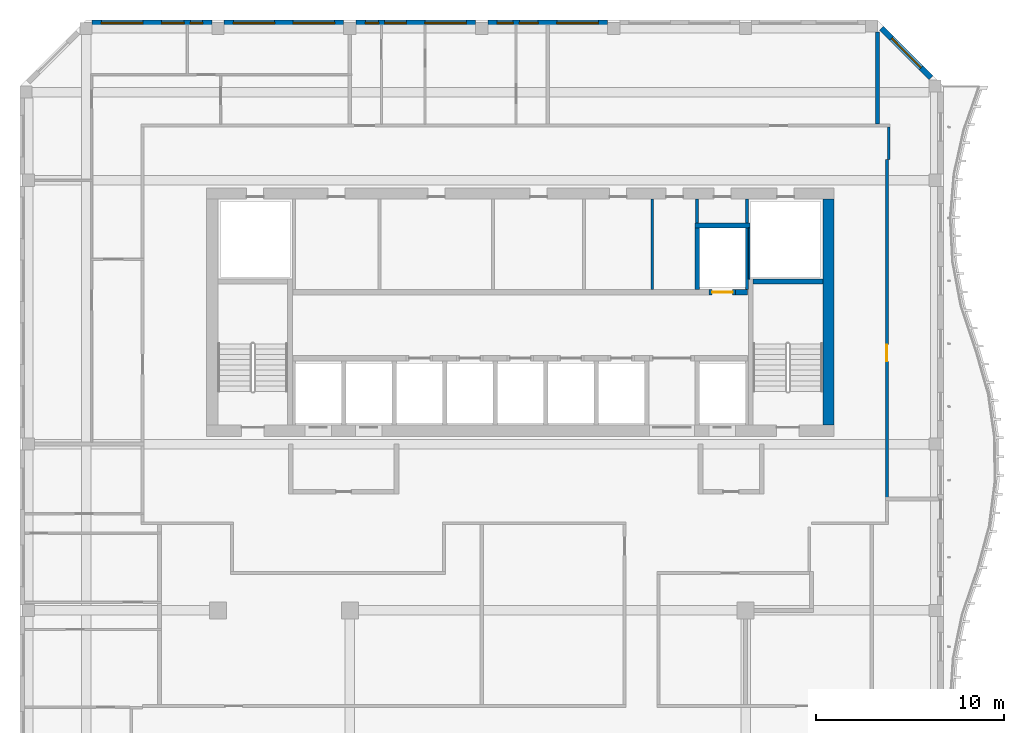
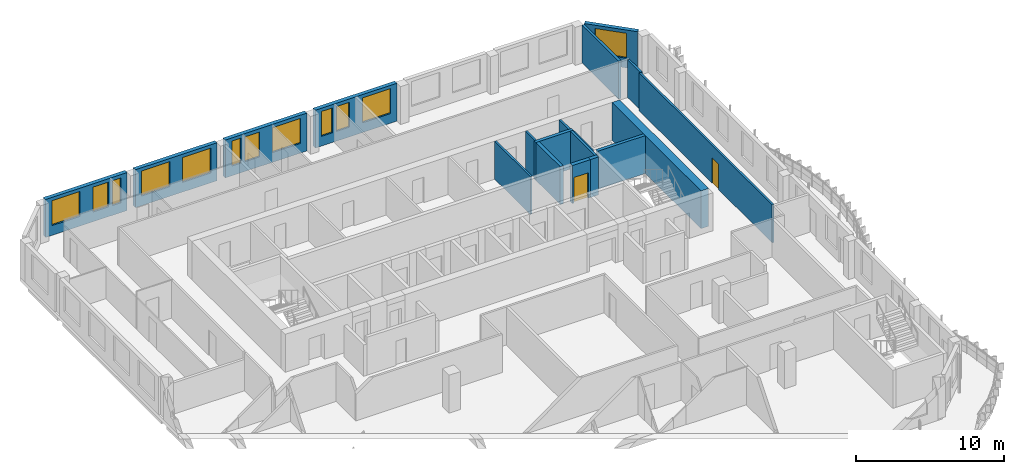
# One storey, part 8 of 16: 19 walls, 12 windows, 2 doors, 14 openings.
"""IFC4 building model written with IfcOpenShell, lengths in metres."""

import ifcopenshell
import ifcopenshell.guid

model = None  # the IFC model being written
_history = None  # IfcOwnerHistory: only IFC2X3 demands one
_inside = {}  # id of a spatial element -> (the spatial element, [elements in it])
_under = {}  # id of a project, library or spatial element -> (it, [spatial elements below it])
_declared = {}  # id of a project -> (the project, [libraries it declares])
_typed = {}  # id of a type object -> (the type object, [elements of that type])
_made_of = {}  # id of a material, layer set ... -> (it, [elements and type objects made of it])


def new_model(schema):
    """Start an empty IFC model of exactly this schema.

    Asked for "IFC4X3", IfcOpenShell would pick the latest addendum, in which some entities
    have other attributes; the version numbers below select the first issue.
    IFC2X3 requires an IfcOwnerHistory on every rooted entity: one is made here for all.
    """
    global model, _history
    if schema == "IFC4X3":
        model = ifcopenshell.file(schema_version=(4, 3, 0, 0))
    else:
        model = ifcopenshell.file(schema=schema)
    _inside.clear()
    _under.clear()
    _declared.clear()
    _typed.clear()
    _made_of.clear()
    _history = None
    if model.schema == "IFC2X3":
        org = make("IfcOrganization", Name="unknown")
        user = make(
            "IfcPersonAndOrganization",
            ThePerson=make("IfcPerson", FamilyName="unknown"),
            TheOrganization=org,
        )
        app = make(
            "IfcApplication",
            ApplicationDeveloper=org,
            Version="unknown",
            ApplicationFullName="unknown",
            ApplicationIdentifier="unknown",
        )
        _history = make(
            "IfcOwnerHistory",
            OwningUser=user,
            OwningApplication=app,
            ChangeAction="ADDED",
            CreationDate=0,
        )
    return model


def make(cls, **values):
    """One entity of the class cls with the attributes given. An attribute that is None is left unset."""
    return model.create_entity(
        cls, **{name: value for name, value in values.items() if value is not None}
    )


def rooted(cls, **values):
    """An entity with a GlobalId (a new one), such as an element, a storey or a relation."""
    return make(cls, GlobalId=ifcopenshell.guid.new(), OwnerHistory=_history, **values)


def si_unit(unit_type, name, prefix=None):
    """IfcSIUnit, for example si_unit("LENGTHUNIT", "METRE", prefix="MILLI")."""
    return make("IfcSIUnit", UnitType=unit_type, Prefix=prefix, Name=name)


def assignment(units):
    """IfcUnitAssignment: the units of a project."""
    return None if units is None else make("IfcUnitAssignment", Units=units)


def point(xyz):
    """IfcCartesianPoint."""
    return None if xyz is None else make("IfcCartesianPoint", Coordinates=xyz)


def direction(xyz):
    """IfcDirection."""
    return None if xyz is None else make("IfcDirection", DirectionRatios=xyz)


def frame(location, z_axis=None, x_axis=None):
    """IfcAxis2Placement3D, a coordinate frame: its origin and axes. An axis left out is left unset."""
    return make(
        "IfcAxis2Placement3D",
        Location=point(location),
        Axis=direction(z_axis),
        RefDirection=direction(x_axis),
    )


def frame_2d(location, x_axis=None):
    """IfcAxis2Placement2D, a coordinate frame in the plane: its origin and x axis."""
    return make(
        "IfcAxis2Placement2D", Location=point(location), RefDirection=direction(x_axis)
    )


def origin():
    """The frame at (0, 0, 0) with its axes left unset."""
    return frame((0.0, 0.0, 0.0))


def place(relative_to, where):
    """IfcLocalPlacement: puts the frame where relative to a parent placement (None: the world)."""
    return make(
        "IfcLocalPlacement", PlacementRelTo=relative_to, RelativePlacement=where
    )


def context(
    kind, dimensions, precision=None, world=None, true_north=None, identifier=None
):
    """IfcGeometricRepresentationContext, for example the 3D "Model" context."""
    return make(
        "IfcGeometricRepresentationContext",
        ContextIdentifier=identifier,
        ContextType=kind,
        CoordinateSpaceDimension=dimensions,
        Precision=precision,
        WorldCoordinateSystem=world,
        TrueNorth=true_north,
    )


def subcontext(parent, identifier, kind, view, scale=None):
    """IfcGeometricRepresentationSubContext, for example "Body" below "Model"."""
    return make(
        "IfcGeometricRepresentationSubContext",
        ContextIdentifier=identifier,
        ContextType=kind,
        ParentContext=parent,
        TargetScale=scale,
        TargetView=view,
    )


def project(units=None, contexts=None):
    """IfcProject with its units and contexts."""
    return rooted(
        "IfcProject",
        Name="project",
        RepresentationContexts=contexts,
        UnitsInContext=assignment(units),
    )


def spatial(cls, under=None, at=None, **own):
    """A site, building, storey or space (cls), placed at a placement, below another one or the project."""
    s = rooted(cls, ObjectPlacement=at, **own)
    if under is not None:
        _under.setdefault(under.id(), (under, []))[1].append(s)
    return s


def profile(cls, at=None, kind="AREA", **sizes):
    """A parametric profile (cls). Its sizes go by their IFC names, for example OverallWidth=200.0."""
    return make(cls, ProfileType=kind, Position=at, **sizes)


def rectangle(**sizes):
    """IfcRectangleProfileDef."""
    return profile("IfcRectangleProfileDef", **sizes)


def extrude(swept, where, along, depth):
    """IfcExtrudedAreaSolid: the profile swept, set in the frame where, extruded along a direction by depth."""
    return make(
        "IfcExtrudedAreaSolid",
        SweptArea=swept,
        Position=where,
        ExtrudedDirection=direction(along),
        Depth=depth,
    )


def shape(context_of_items, identifier, shape_type, items):
    """IfcShapeRepresentation: the items that make up one representation, for example the "Body"."""
    return make(
        "IfcShapeRepresentation",
        ContextOfItems=context_of_items,
        RepresentationIdentifier=identifier,
        RepresentationType=shape_type,
        Items=items,
    )


def source(mapping_origin, context_of_items, identifier, shape_type, items):
    """IfcRepresentationMap: a shape defined once, which mapped items show again and again."""
    return make(
        "IfcRepresentationMap",
        MappingOrigin=mapping_origin,
        MappedRepresentation=shape(context_of_items, identifier, shape_type, items),
    )


def transform(
    local_origin,
    x_axis=None,
    y_axis=None,
    z_axis=None,
    scale=None,
    scale2=None,
    scale3=None,
    uniform=True,
):
    """IfcCartesianTransformationOperator3D, or its non-uniform kind. x_axis, y_axis, z_axis: its Axis1, 2, 3."""
    if uniform:
        return make(
            "IfcCartesianTransformationOperator3D",
            Axis1=direction(x_axis),
            Axis2=direction(y_axis),
            LocalOrigin=point(local_origin),
            Scale=scale,
            Axis3=direction(z_axis),
        )
    return make(
        "IfcCartesianTransformationOperator3DnonUniform",
        Axis1=direction(x_axis),
        Axis2=direction(y_axis),
        LocalOrigin=point(local_origin),
        Scale=scale,
        Axis3=direction(z_axis),
        Scale2=scale2,
        Scale3=scale3,
    )


def mapped(mapping_source, mapping_target):
    """IfcMappedItem: shows the shape of a source again, moved by a transform."""
    return make(
        "IfcMappedItem", MappingSource=mapping_source, MappingTarget=mapping_target
    )


def material(Name=None, Category=None):
    """IfcMaterial."""
    return make("IfcMaterial", Name=Name, Category=Category)


def layer(
    of_material, thickness, ventilated=None, Name=None, Category=None, Priority=None
):
    """IfcMaterialLayer: one layer of a wall or slab, of a material (None: an air gap)."""
    return make(
        "IfcMaterialLayer",
        Material=of_material,
        LayerThickness=thickness,
        IsVentilated=ventilated,
        Name=Name,
        Category=Category,
        Priority=Priority,
    )


def layer_set(layers, Name=None):
    """IfcMaterialLayerSet."""
    return make("IfcMaterialLayerSet", MaterialLayers=layers, LayerSetName=Name)


def made_of(thing, what):
    """Note that an element or type object is made of a material, layer set ...; save() writes the relation."""
    if what is not None:
        _made_of.setdefault(what.id(), (what, []))[1].append(thing)
    return thing


def type_object(cls, material=None, **own):
    """A type object (cls), such as IfcWallType, which elements share."""
    return made_of(rooted(cls, **own), material)


def element(
    cls,
    number,
    at=None,
    inside=None,
    cuts=None,
    type_object=None,
    material=None,
    context=None,
    identifier="Body",
    shape_type=None,
    held_by="IfcProductDefinitionShape",
    body=None,
    shapes=None,
    **own,
):
    """One element of the class cls, such as IfcWall. Its Tag is "e" and its number.

    at: its placement. inside: the storey or other place that contains it. cuts: it is an
    opening in that element (IfcRelVoidsElement). A single representation is given by context,
    identifier, shape_type and body (its items); several are given by shapes. held_by: the class
    of the entity that holds the representations. save() writes the other relations.
    """
    e = rooted(cls, Tag="e%d" % number, ObjectPlacement=at, **own)
    if body is not None:
        shapes = [shape(context, identifier, shape_type, body)]
    if shapes is not None:
        e.Representation = make(held_by, Representations=shapes)
    if inside is not None:
        _inside.setdefault(inside.id(), (inside, []))[1].append(e)
    if cuts is not None:
        rooted(
            "IfcRelVoidsElement", RelatingBuildingElement=cuts, RelatedOpeningElement=e
        )
    if type_object is not None:
        _typed.setdefault(type_object.id(), (type_object, []))[1].append(e)
    return made_of(e, material)


def fill(opening, filler):
    """IfcRelFillsElement: the door or window that sits in an opening."""
    return rooted(
        "IfcRelFillsElement",
        RelatingOpeningElement=opening,
        RelatedBuildingElement=filler,
    )


def aggregate(whole, parts):
    """IfcRelAggregates: a whole, such as a stair, and the parts it consists of."""
    return rooted("IfcRelAggregates", RelatingObject=whole, RelatedObjects=parts)


def save(model, path):
    """Write the relations noted so far, then the file.

    IfcRelAggregates (storeys below a building ...), IfcRelContainedInSpatialStructure (elements
    in a storey), IfcRelDefinesByType, IfcRelAssociatesMaterial and IfcRelDeclares: one each for
    every whole, place, type object, material and project.
    """
    for whole, parts in _under.values():
        aggregate(whole, parts)
    for where, things in _inside.values():
        rooted(
            "IfcRelContainedInSpatialStructure",
            RelatedElements=things,
            RelatingStructure=where,
        )
    for kind, things in _typed.values():
        rooted("IfcRelDefinesByType", RelatedObjects=things, RelatingType=kind)
    for what, things in _made_of.values():
        rooted("IfcRelAssociatesMaterial", RelatedObjects=things, RelatingMaterial=what)
    for by, libraries in _declared.values():
        rooted("IfcRelDeclares", RelatingContext=by, RelatedDefinitions=libraries)
    model.write(path)


model = new_model("IFC4")

# Units and contexts
model_context = context("Model", 3, precision=1e-05, world=origin(), true_north=direction((0.0, 1.0)))
body_context = subcontext(model_context, "Body", "Model", "MODEL_VIEW")
ifc_project = project(units=[si_unit("LENGTHUNIT", "METRE"), si_unit("AREAUNIT", "SQUARE_METRE"), si_unit("VOLUMEUNIT", "CUBIC_METRE"), si_unit("PLANEANGLEUNIT", "RADIAN"), si_unit("MASSUNIT", "GRAM", prefix="KILO")], contexts=[model_context])

# Site, building, storey
site_placement = place(None, origin())
site = spatial("IfcSite", under=ifc_project, at=site_placement, CompositionType="ELEMENT")
building_placement = place(site_placement, origin())
building = spatial("IfcBuilding", under=site, at=building_placement, Name="Kilnfold Tower and Market Hall", CompositionType="ELEMENT")
storey_placement = place(building_placement, frame((0.0, 0.0, 284.0)))
storey = spatial("IfcBuildingStorey", under=building, at=storey_placement, Name="L70", CompositionType="ELEMENT", Elevation=284.0)

# Wall
ifc_material_1 = material(Name="Gypsum board on steel studs", Category="steel")
ifc_layer_1 = layer(ifc_material_1, 0.14990234375)
ifc_layer_set_1 = layer_set([ifc_layer_1], Name="Gypsum board on steel studs")
wall_type_1 = type_object("IfcWallType", Name="WALL CORRIDOR 150", PredefinedType="PARTITIONING", material=ifc_layer_set_1)
wall_1_placement = place(storey_placement, frame((20.60009765625, 23.10009765625, 0.0), z_axis=(0.0, 0.0, 1.0), x_axis=(0.0, 1.0, 0.0)))
element("IfcWall", 1, at=wall_1_placement, inside=storey, type_object=wall_type_1, Name="Partition LY42.18", PredefinedType="PARTITIONING", context=body_context, shape_type="SweptSolid", body=[
    extrude(rectangle(XDim=1.724853515625, YDim=0.14990234375, at=frame_2d((0.8623046875, 0.0))), origin(), (0.0, 0.0, 1.0), 3.1201171875),
])

# Wall, opening, door
wall_2_placement = place(storey_placement, frame((20.5, 5.173095703125, 0.0), z_axis=(0.0, 0.0, 1.0), x_axis=(0.0, 1.0, 0.0)))
wall_2 = element("IfcWall", 2, at=wall_2_placement, inside=storey, type_object=wall_type_1, Name="Partition LY42.19", PredefinedType="PARTITIONING", context=body_context, shape_type="SweptSolid", body=[
    extrude(rectangle(XDim=17.927001953125, YDim=0.14990234375, at=frame_2d((8.96337890625, 0.0))), origin(), (0.0, 0.0, 1.0), 3.1201171875),
])
opening_1_placement = place(wall_2_placement, frame((7.2109375, 0.0, 0.0)))
opening_1 = element("IfcOpeningElement", 3, at=opening_1_placement, cuts=wall_2, Name="Opening D2", PredefinedType="OPENING", context=body_context, shape_type="SweptSolid", body=[
    extrude(rectangle(XDim=0.89990234375, YDim=2.10009765625, at=frame_2d((0.449951171875, 1.050048828125))), frame((0.0, 0.0849609375, 0.0), z_axis=(0.0, -1.0, 0.0), x_axis=(1.0, 0.0, 0.0)), (0.0, 0.0, 1.0), 0.169921875),
])
ifc_material_2 = material(Name="Timber veneer door leaf in steel frame", Category="steel")
door_type_1 = type_object("IfcDoorType", Name="DOOR ROOM 900 X2100", OperationType="NOTDEFINED", PredefinedType="DOOR", material=ifc_material_2)
door_1_placement = place(opening_1_placement, origin())
door_1 = element("IfcDoor", 4, at=door_1_placement, inside=storey, type_object=door_type_1, Name="Door D2", OperationType="SINGLE_SWING_LEFT", OverallHeight=2.10009765625, OverallWidth=0.89990234375, PredefinedType="DOOR", context=body_context, shape_type="SweptSolid", body=[
    extrude(rectangle(XDim=0.89990234375, YDim=2.10009765625, at=frame_2d((0.449951171875, 1.050048828125))), frame((0.0, 0.02490234375, 0.0), z_axis=(0.0, -1.0, 0.0), x_axis=(1.0, 0.0, 0.0)), (0.0, 0.0, 1.0), 0.050048828125),
])
fill(opening_1, door_1)

# Walls
ifc_material_3 = material(Name="Gypsum board on steel studs", Category="steel")
ifc_layer_2 = layer(ifc_material_3, 0.199951171875)
ifc_layer_set_2 = layer_set([ifc_layer_2], Name="Gypsum board on steel studs")
wall_type_2 = type_object("IfcWallType", Name="WALL PARTY 200", PredefinedType="PARTITIONING", material=ifc_layer_set_2)
wall_3_placement = place(storey_placement, frame((20.0, 29.85693359375, 0.0), z_axis=(0.0, 0.0, 1.0), x_axis=(0.0, -1.0, 0.0)))
element("IfcWall", 5, at=wall_3_placement, inside=storey, type_object=wall_type_2, Name="Partition LY42.64", PredefinedType="PARTITIONING", context=body_context, shape_type="SweptSolid", body=[
    extrude(rectangle(XDim=4.8798828125, YDim=0.199951171875, at=frame_2d((2.43994140625, 0.0))), origin(), (0.0, 0.0, 1.0), 3.1201171875),
])
ifc_material_4 = material(Name="Concrete C50", Category="concrete")
ifc_layer_3 = layer(ifc_material_4, 0.25)
ifc_layer_set_3 = layer_set([ifc_layer_3], Name="Concrete C50")
wall_type_3 = type_object("IfcWallType", Name="CORE WALL 250 C50", PredefinedType="SHEAR", material=ifc_layer_set_3)
shared_shape_1 = source(origin(), body_context, "Body", "SweptSolid", [
    extrude(rectangle(XDim=3.7001953125, YDim=0.25, at=frame_2d((1.85009765625, 0.0))), origin(), (0.0, 0.0, 1.0), 3.1201171875),
])
wall_4_placement = place(storey_placement, frame((13.39990234375, 16.625, 0.0), z_axis=(0.0, 0.0, 1.0), x_axis=(1.0, 0.0, 0.0)))
element("IfcWall", 6, at=wall_4_placement, inside=storey, type_object=wall_type_3, Name="Stair enclosure ST2", PredefinedType="SHEAR", context=body_context, shape_type="MappedRepresentation", body=[
    mapped(shared_shape_1, transform((0.0, 0.0, 0.0))),
])
ifc_material_5 = material(Name="Concrete C50", Category="concrete")
ifc_layer_4 = layer(ifc_material_5, 0.300048828125)
ifc_layer_set_4 = layer_set([ifc_layer_4], Name="Concrete C50")
wall_type_4 = type_object("IfcWallType", Name="CORE WALL 300 C50", PredefinedType="SHEAR", material=ifc_layer_set_4)
shared_shape_2 = source(origin(), body_context, "Body", "SweptSolid", [
    extrude(rectangle(XDim=0.64013671875, YDim=0.300048828125, at=frame_2d((0.320068359375, 0.0))), origin(), (0.0, 0.0, 1.0), 3.1201171875),
])
wall_5_placement = place(storey_placement, frame((12.469970703125, 16.050048828125, 0.0), z_axis=(0.0, 0.0, 1.0), x_axis=(1.0, 0.0, 0.0)))
element("IfcWall", 7, at=wall_5_placement, inside=storey, type_object=wall_type_4, Name="Core spine wall", PredefinedType="SHEAR", context=body_context, shape_type="MappedRepresentation", body=[
    mapped(shared_shape_2, transform((0.0, 0.0, 0.0))),
])
ifc_material_6 = material(Name="Concrete C50", Category="concrete")
ifc_layer_5 = layer(ifc_material_6, 0.60009765625)
ifc_layer_set_5 = layer_set([ifc_layer_5], Name="Concrete C50")
wall_type_5 = type_object("IfcWallType", Name="CORE WALL 600 C50", PredefinedType="SHEAR", material=ifc_layer_set_5)
shared_shape_3 = source(origin(), body_context, "Body", "SweptSolid", [
    extrude(rectangle(XDim=12.0, YDim=0.60009765625, at=frame_2d((6.0, 0.0))), origin(), (0.0, 0.0, 1.0), 3.1201171875),
])
wall_6_placement = place(storey_placement, frame((17.39990234375, 9.0, 0.0), z_axis=(0.0, 0.0, 1.0), x_axis=(0.0, 1.0, 0.0)))
element("IfcWall", 8, at=wall_6_placement, inside=storey, type_object=wall_type_5, Name="Core outer wall east", PredefinedType="SHEAR", context=body_context, shape_type="MappedRepresentation", body=[
    mapped(shared_shape_3, transform((0.0, 0.0, 0.0))),
])

# Wall, openings, windows
ifc_material_7 = material(Name="Precast concrete C50/60", Category="concrete")
ifc_layer_6 = layer(ifc_material_7, 0.300048828125)
ifc_layer_set_6 = layer_set([ifc_layer_6], Name="Precast concrete C50/60")
wall_type_6 = type_object("IfcWallType", Name="PRECAST WALL 300", PredefinedType="SOLIDWALL", material=ifc_layer_set_6)
shared_shape_4 = source(origin(), body_context, "Body", "SweptSolid", [
    extrude(rectangle(XDim=6.35009765625, YDim=0.300048828125, at=frame_2d((3.175048828125, 0.0))), origin(), (0.0, 0.0, 1.0), 3.1201171875),
])
wall_7_placement = place(storey_placement, frame((5.675048828125, 30.35009765625, 0.0), z_axis=(0.0, 0.0, 1.0), x_axis=(-1.0, 0.0, 0.0)))
wall_7 = element("IfcWall", 9, at=wall_7_placement, inside=storey, type_object=wall_type_6, Name="External wall L70 N", PredefinedType="SOLIDWALL", context=body_context, shape_type="MappedRepresentation", body=[
    mapped(shared_shape_4, transform((0.0, 0.0, 0.0))),
])
opening_2_placement = place(wall_7_placement, frame((0.487548828125, 0.0, 0.800048828125)))
opening_2 = element("IfcOpeningElement", 10, at=opening_2_placement, cuts=wall_7, Name="Opening W3", PredefinedType="OPENING", context=body_context, shape_type="SweptSolid", body=[
    extrude(rectangle(XDim=2.199951171875, YDim=2.050048828125, at=frame_2d((1.10009765625, 1.02490234375))), frame((0.0, 0.16015625, 0.0), z_axis=(0.0, -1.0, 0.0), x_axis=(1.0, 0.0, 0.0)), (0.0, 0.0, 1.0), 0.320068359375),
])
opening_3_placement = place(wall_7_placement, frame((3.68359375, 0.0, 0.800048828125)))
opening_3 = element("IfcOpeningElement", 11, at=opening_3_placement, cuts=wall_7, Name="Opening W3-A", PredefinedType="OPENING", context=body_context, shape_type="SweptSolid", body=[
    extrude(rectangle(XDim=1.0, YDim=2.050048828125, at=frame_2d((0.5, 1.02490234375))), frame((0.0, 0.16015625, 0.0), z_axis=(0.0, -1.0, 0.0), x_axis=(1.0, 0.0, 0.0)), (0.0, 0.0, 1.0), 0.320068359375),
])
opening_4_placement = place(wall_7_placement, frame((5.0087890625, 0.0, 0.800048828125)))
opening_4 = element("IfcOpeningElement", 12, at=opening_4_placement, cuts=wall_7, Name="Opening W3-B", PredefinedType="OPENING", context=body_context, shape_type="SweptSolid", body=[
    extrude(rectangle(XDim=0.85009765625, YDim=2.050048828125, at=frame_2d((0.425048828125, 1.02490234375))), frame((0.0, 0.16015625, 0.0), z_axis=(0.0, -1.0, 0.0), x_axis=(1.0, 0.0, 0.0)), (0.0, 0.0, 1.0), 0.320068359375),
])
ifc_material_8 = material(Name="Aluminium frame and double glazing", Category="aluminium")
window_type_1 = type_object("IfcWindowType", Name="WINDOW W3 2200X2050", PartitioningType="SINGLE_PANEL", PredefinedType="WINDOW", material=ifc_material_8)
window_1_placement = place(opening_2_placement, origin())
window_1 = element("IfcWindow", 13, at=window_1_placement, inside=storey, type_object=window_type_1, Name="Window W3 L70 N-1", OverallHeight=2.050048828125, OverallWidth=2.199951171875, PartitioningType="SINGLE_PANEL", PredefinedType="WINDOW", context=body_context, shape_type="SweptSolid", body=[
    extrude(rectangle(XDim=2.199951171875, YDim=2.050048828125, at=frame_2d((1.10009765625, 1.02490234375))), frame((0.0, 0.030029296875, 0.0), z_axis=(0.0, -1.0, 0.0), x_axis=(1.0, 0.0, 0.0)), (0.0, 0.0, 1.0), 0.06005859375),
])
fill(opening_2, window_1)
ifc_material_9 = material(Name="Aluminium frame and double glazing", Category="aluminium")
window_type_2 = type_object("IfcWindowType", Name="WINDOW W3-A 1000X2050", PartitioningType="SINGLE_PANEL", PredefinedType="WINDOW", material=ifc_material_9)
window_2_placement = place(opening_3_placement, origin())
window_2 = element("IfcWindow", 14, at=window_2_placement, inside=storey, type_object=window_type_2, Name="Window W3-A L70 N-2", OverallHeight=2.050048828125, OverallWidth=1.0, PartitioningType="SINGLE_PANEL", PredefinedType="WINDOW", context=body_context, shape_type="SweptSolid", body=[
    extrude(rectangle(XDim=1.0, YDim=2.050048828125, at=frame_2d((0.5, 1.02490234375))), frame((0.0, 0.030029296875, 0.0), z_axis=(0.0, -1.0, 0.0), x_axis=(1.0, 0.0, 0.0)), (0.0, 0.0, 1.0), 0.06005859375),
])
fill(opening_3, window_2)
ifc_material_10 = material(Name="Aluminium frame and double glazing", Category="aluminium")
window_type_3 = type_object("IfcWindowType", Name="WINDOW W3-B 850X2050", PartitioningType="SINGLE_PANEL", PredefinedType="WINDOW", material=ifc_material_10)
window_3_placement = place(opening_4_placement, origin())
window_3 = element("IfcWindow", 15, at=window_3_placement, inside=storey, type_object=window_type_3, Name="Window W3-A L70 N-2", OverallHeight=2.050048828125, OverallWidth=0.85009765625, PartitioningType="SINGLE_PANEL", PredefinedType="WINDOW", context=body_context, shape_type="SweptSolid", body=[
    extrude(rectangle(XDim=0.85009765625, YDim=2.050048828125, at=frame_2d((0.425048828125, 1.02490234375))), frame((0.0, 0.030029296875, 0.0), z_axis=(0.0, -1.0, 0.0), x_axis=(1.0, 0.0, 0.0)), (0.0, 0.0, 1.0), 0.06005859375),
])
fill(opening_4, window_3)

wall_8_placement = place(storey_placement, frame((-1.324951171875, 30.35009765625, 0.0), z_axis=(0.0, 0.0, 1.0), x_axis=(-1.0, 0.0, 0.0)))
wall_8 = element("IfcWall", 16, at=wall_8_placement, inside=storey, type_object=wall_type_6, Name="External wall L70 N", PredefinedType="SOLIDWALL", context=body_context, shape_type="MappedRepresentation", body=[
    mapped(shared_shape_4, transform((0.0, 0.0, 0.0))),
])
opening_5_placement = place(wall_8_placement, frame((0.487548828125, 0.0, 0.800048828125)))
opening_5 = element("IfcOpeningElement", 17, at=opening_5_placement, cuts=wall_8, Name="Opening W3", PredefinedType="OPENING", context=body_context, shape_type="SweptSolid", body=[
    extrude(rectangle(XDim=2.199951171875, YDim=2.050048828125, at=frame_2d((1.10009765625, 1.02490234375))), frame((0.0, 0.16015625, 0.0), z_axis=(0.0, -1.0, 0.0), x_axis=(1.0, 0.0, 0.0)), (0.0, 0.0, 1.0), 0.320068359375),
])
opening_6_placement = place(wall_8_placement, frame((3.6787109375, 0.0, 0.800048828125)))
opening_6 = element("IfcOpeningElement", 18, at=opening_6_placement, cuts=wall_8, Name="Opening W3-C", PredefinedType="OPENING", context=body_context, shape_type="SweptSolid", body=[
    extrude(rectangle(XDim=1.14990234375, YDim=2.050048828125, at=frame_2d((0.574951171875, 1.02490234375))), frame((0.0, 0.16015625, 0.0), z_axis=(0.0, -1.0, 0.0), x_axis=(1.0, 0.0, 0.0)), (0.0, 0.0, 1.0), 0.320068359375),
])
opening_7_placement = place(wall_8_placement, frame((5.15380859375, 0.0, 0.800048828125)))
opening_7 = element("IfcOpeningElement", 19, at=opening_7_placement, cuts=wall_8, Name="Opening W3-D", PredefinedType="OPENING", context=body_context, shape_type="SweptSolid", body=[
    extrude(rectangle(XDim=0.699951171875, YDim=2.050048828125, at=frame_2d((0.35009765625, 1.02490234375))), frame((0.0, 0.16015625, 0.0), z_axis=(0.0, -1.0, 0.0), x_axis=(1.0, 0.0, 0.0)), (0.0, 0.0, 1.0), 0.320068359375),
])
window_4_placement = place(opening_5_placement, origin())
window_4 = element("IfcWindow", 20, at=window_4_placement, inside=storey, type_object=window_type_1, Name="Window W3 L70 N-1", OverallHeight=2.050048828125, OverallWidth=2.199951171875, PartitioningType="SINGLE_PANEL", PredefinedType="WINDOW", context=body_context, shape_type="SweptSolid", body=[
    extrude(rectangle(XDim=2.199951171875, YDim=2.050048828125, at=frame_2d((1.10009765625, 1.02490234375))), frame((0.0, 0.030029296875, 0.0), z_axis=(0.0, -1.0, 0.0), x_axis=(1.0, 0.0, 0.0)), (0.0, 0.0, 1.0), 0.06005859375),
])
fill(opening_5, window_4)
ifc_material_11 = material(Name="Aluminium frame and double glazing", Category="aluminium")
window_type_4 = type_object("IfcWindowType", Name="WINDOW W3-C 1150X2050", PartitioningType="SINGLE_PANEL", PredefinedType="WINDOW", material=ifc_material_11)
window_5_placement = place(opening_6_placement, origin())
window_5 = element("IfcWindow", 21, at=window_5_placement, inside=storey, type_object=window_type_4, Name="Window W3-C L70 N-2", OverallHeight=2.050048828125, OverallWidth=1.14990234375, PartitioningType="SINGLE_PANEL", PredefinedType="WINDOW", context=body_context, shape_type="SweptSolid", body=[
    extrude(rectangle(XDim=1.14990234375, YDim=2.050048828125, at=frame_2d((0.574951171875, 1.02490234375))), frame((0.0, 0.030029296875, 0.0), z_axis=(0.0, -1.0, 0.0), x_axis=(1.0, 0.0, 0.0)), (0.0, 0.0, 1.0), 0.06005859375),
])
fill(opening_6, window_5)
ifc_material_12 = material(Name="Aluminium frame and double glazing", Category="aluminium")
window_type_5 = type_object("IfcWindowType", Name="WINDOW W3-D 700X2050", PartitioningType="SINGLE_PANEL", PredefinedType="WINDOW", material=ifc_material_12)
window_6_placement = place(opening_7_placement, origin())
window_6 = element("IfcWindow", 22, at=window_6_placement, inside=storey, type_object=window_type_5, Name="Window W3-C L70 N-2", OverallHeight=2.050048828125, OverallWidth=0.699951171875, PartitioningType="SINGLE_PANEL", PredefinedType="WINDOW", context=body_context, shape_type="SweptSolid", body=[
    extrude(rectangle(XDim=0.699951171875, YDim=2.050048828125, at=frame_2d((0.35009765625, 1.02490234375))), frame((0.0, 0.030029296875, 0.0), z_axis=(0.0, -1.0, 0.0), x_axis=(1.0, 0.0, 0.0)), (0.0, 0.0, 1.0), 0.06005859375),
])
fill(opening_7, window_6)

wall_9_placement = place(storey_placement, frame((-8.324951171875, 30.35009765625, 0.0), z_axis=(0.0, 0.0, 1.0), x_axis=(-1.0, 0.0, 0.0)))
wall_9 = element("IfcWall", 23, at=wall_9_placement, inside=storey, type_object=wall_type_6, Name="External wall L70 N", PredefinedType="SOLIDWALL", context=body_context, shape_type="MappedRepresentation", body=[
    mapped(shared_shape_4, transform((0.0, 0.0, 0.0))),
])
opening_8_placement = place(wall_9_placement, frame((0.487548828125, 0.0, 0.800048828125)))
opening_8 = element("IfcOpeningElement", 24, at=opening_8_placement, cuts=wall_9, Name="Opening W3", PredefinedType="OPENING", context=body_context, shape_type="SweptSolid", body=[
    extrude(rectangle(XDim=2.199951171875, YDim=2.050048828125, at=frame_2d((1.10009765625, 1.02490234375))), frame((0.0, 0.16015625, 0.0), z_axis=(0.0, -1.0, 0.0), x_axis=(1.0, 0.0, 0.0)), (0.0, 0.0, 1.0), 0.320068359375),
])
opening_9_placement = place(wall_9_placement, frame((3.66259765625, 0.0, 0.800048828125)))
opening_9 = element("IfcOpeningElement", 25, at=opening_9_placement, cuts=wall_9, Name="Opening W3", PredefinedType="OPENING", context=body_context, shape_type="SweptSolid", body=[
    extrude(rectangle(XDim=2.199951171875, YDim=2.050048828125, at=frame_2d((1.10009765625, 1.02490234375))), frame((0.0, 0.16015625, 0.0), z_axis=(0.0, -1.0, 0.0), x_axis=(1.0, 0.0, 0.0)), (0.0, 0.0, 1.0), 0.320068359375),
])
window_7_placement = place(opening_8_placement, origin())
window_7 = element("IfcWindow", 26, at=window_7_placement, inside=storey, type_object=window_type_1, Name="Window W3 L70 N-1", OverallHeight=2.050048828125, OverallWidth=2.199951171875, PartitioningType="SINGLE_PANEL", PredefinedType="WINDOW", context=body_context, shape_type="SweptSolid", body=[
    extrude(rectangle(XDim=2.199951171875, YDim=2.050048828125, at=frame_2d((1.10009765625, 1.02490234375))), frame((0.0, 0.030029296875, 0.0), z_axis=(0.0, -1.0, 0.0), x_axis=(1.0, 0.0, 0.0)), (0.0, 0.0, 1.0), 0.06005859375),
])
fill(opening_8, window_7)
window_8_placement = place(opening_9_placement, origin())
window_8 = element("IfcWindow", 27, at=window_8_placement, inside=storey, type_object=window_type_1, Name="Window W3 L70 N-2", OverallHeight=2.050048828125, OverallWidth=2.199951171875, PartitioningType="SINGLE_PANEL", PredefinedType="WINDOW", context=body_context, shape_type="SweptSolid", body=[
    extrude(rectangle(XDim=2.199951171875, YDim=2.050048828125, at=frame_2d((1.10009765625, 1.02490234375))), frame((0.0, 0.030029296875, 0.0), z_axis=(0.0, -1.0, 0.0), x_axis=(1.0, 0.0, 0.0)), (0.0, 0.0, 1.0), 0.06005859375),
])
fill(opening_9, window_8)

wall_10_placement = place(storey_placement, frame((-15.324951171875, 30.35009765625, 0.0), z_axis=(0.0, 0.0, 1.0), x_axis=(-1.0, 0.0, 0.0)))
wall_10 = element("IfcWall", 28, at=wall_10_placement, inside=storey, type_object=wall_type_6, Name="External wall L70 N", PredefinedType="SOLIDWALL", context=body_context, shape_type="MappedRepresentation", body=[
    mapped(shared_shape_4, transform((0.0, 0.0, 0.0))),
])
opening_10_placement = place(wall_10_placement, frame((0.493896484375, 0.0, 0.800048828125)))
opening_10 = element("IfcOpeningElement", 29, at=opening_10_placement, cuts=wall_10, Name="Opening W3-E", PredefinedType="OPENING", context=body_context, shape_type="SweptSolid", body=[
    extrude(rectangle(XDim=0.64990234375, YDim=2.050048828125, at=frame_2d((0.324951171875, 1.02490234375))), frame((0.0, 0.16015625, 0.0), z_axis=(0.0, -1.0, 0.0), x_axis=(1.0, 0.0, 0.0)), (0.0, 0.0, 1.0), 0.320068359375),
])
opening_11_placement = place(wall_10_placement, frame((3.66259765625, 0.0, 0.800048828125)))
opening_11 = element("IfcOpeningElement", 30, at=opening_11_placement, cuts=wall_10, Name="Opening W3", PredefinedType="OPENING", context=body_context, shape_type="SweptSolid", body=[
    extrude(rectangle(XDim=2.199951171875, YDim=2.050048828125, at=frame_2d((1.10009765625, 1.02490234375))), frame((0.0, 0.16015625, 0.0), z_axis=(0.0, -1.0, 0.0), x_axis=(1.0, 0.0, 0.0)), (0.0, 0.0, 1.0), 0.320068359375),
])
opening_12_placement = place(wall_10_placement, frame((1.46875, 0.0, 0.800048828125)))
opening_12 = element("IfcOpeningElement", 31, at=opening_12_placement, cuts=wall_10, Name="Opening W3-F", PredefinedType="OPENING", context=body_context, shape_type="SweptSolid", body=[
    extrude(rectangle(XDim=1.199951171875, YDim=2.050048828125, at=frame_2d((0.60009765625, 1.02490234375))), frame((0.0, 0.16015625, 0.0), z_axis=(0.0, -1.0, 0.0), x_axis=(1.0, 0.0, 0.0)), (0.0, 0.0, 1.0), 0.320068359375),
])
window_9_placement = place(opening_11_placement, origin())
window_9 = element("IfcWindow", 32, at=window_9_placement, inside=storey, type_object=window_type_1, Name="Window W3 L70 N-2", OverallHeight=2.050048828125, OverallWidth=2.199951171875, PartitioningType="SINGLE_PANEL", PredefinedType="WINDOW", context=body_context, shape_type="SweptSolid", body=[
    extrude(rectangle(XDim=2.199951171875, YDim=2.050048828125, at=frame_2d((1.10009765625, 1.02490234375))), frame((0.0, 0.030029296875, 0.0), z_axis=(0.0, -1.0, 0.0), x_axis=(1.0, 0.0, 0.0)), (0.0, 0.0, 1.0), 0.06005859375),
])
fill(opening_11, window_9)
ifc_material_13 = material(Name="Aluminium frame and double glazing", Category="aluminium")
window_type_6 = type_object("IfcWindowType", Name="WINDOW W3-E 650X2050", PartitioningType="SINGLE_PANEL", PredefinedType="WINDOW", material=ifc_material_13)
window_10_placement = place(opening_10_placement, origin())
window_10 = element("IfcWindow", 33, at=window_10_placement, inside=storey, type_object=window_type_6, Name="Window W3-E L70 N-1", OverallHeight=2.050048828125, OverallWidth=0.64990234375, PartitioningType="SINGLE_PANEL", PredefinedType="WINDOW", context=body_context, shape_type="SweptSolid", body=[
    extrude(rectangle(XDim=0.64990234375, YDim=2.050048828125, at=frame_2d((0.324951171875, 1.02490234375))), frame((0.0, 0.030029296875, 0.0), z_axis=(0.0, -1.0, 0.0), x_axis=(1.0, 0.0, 0.0)), (0.0, 0.0, 1.0), 0.06005859375),
])
fill(opening_10, window_10)
ifc_material_14 = material(Name="Aluminium frame and double glazing", Category="aluminium")
window_type_7 = type_object("IfcWindowType", Name="WINDOW W3-F 1200X2050", PartitioningType="SINGLE_PANEL", PredefinedType="WINDOW", material=ifc_material_14)
window_11_placement = place(opening_12_placement, origin())
window_11 = element("IfcWindow", 34, at=window_11_placement, inside=storey, type_object=window_type_7, Name="Window W3-E L70 N-1", OverallHeight=2.050048828125, OverallWidth=1.199951171875, PartitioningType="SINGLE_PANEL", PredefinedType="WINDOW", context=body_context, shape_type="SweptSolid", body=[
    extrude(rectangle(XDim=1.199951171875, YDim=2.050048828125, at=frame_2d((0.60009765625, 1.02490234375))), frame((0.0, 0.030029296875, 0.0), z_axis=(0.0, -1.0, 0.0), x_axis=(1.0, 0.0, 0.0)), (0.0, 0.0, 1.0), 0.06005859375),
])
fill(opening_12, window_11)

# Wall, opening, window
shared_shape_5 = source(origin(), body_context, "Body", "SweptSolid", [
    extrude(rectangle(XDim=3.71240234375, YDim=0.300048828125, at=frame_2d((1.856201171875, 0.0))), origin(), (0.0, 0.0, 1.0), 3.1201171875),
])
wall_11_placement = place(storey_placement, frame((22.843994140625, 27.44384765625, 0.0), z_axis=(0.0, 0.0, 1.0), x_axis=(-0.707106781187, 0.707106781187, 0.0)))
wall_11 = element("IfcWall", 35, at=wall_11_placement, inside=storey, type_object=wall_type_6, Name="External wall L70 NE", PredefinedType="SOLIDWALL", context=body_context, shape_type="MappedRepresentation", body=[
    mapped(shared_shape_5, transform((0.0, 0.0, 0.0))),
])
opening_13_placement = place(wall_11_placement, frame((0.756103515625, 0.0, 0.800048828125)))
opening_13 = element("IfcOpeningElement", 36, at=opening_13_placement, cuts=wall_11, Name="Opening W3", PredefinedType="OPENING", context=body_context, shape_type="SweptSolid", body=[
    extrude(rectangle(XDim=2.199951171875, YDim=2.050048828125, at=frame_2d((1.10009765625, 1.02490234375))), frame((0.0, 0.16015625, 0.0), z_axis=(0.0, -1.0, 0.0), x_axis=(1.0, 0.0, 0.0)), (0.0, 0.0, 1.0), 0.320068359375),
])
window_12_placement = place(opening_13_placement, origin())
window_12 = element("IfcWindow", 37, at=window_12_placement, inside=storey, type_object=window_type_1, Name="Window W3 L70 NE-1", OverallHeight=2.050048828125, OverallWidth=2.199951171875, PartitioningType="SINGLE_PANEL", PredefinedType="WINDOW", context=body_context, shape_type="SweptSolid", body=[
    extrude(rectangle(XDim=2.199951171875, YDim=2.050048828125, at=frame_2d((1.10009765625, 1.02490234375))), frame((0.0, 0.030029296875, 0.0), z_axis=(0.0, -1.0, 0.0), x_axis=(1.0, 0.0, 0.0)), (0.0, 0.0, 1.0), 0.06005859375),
])
fill(opening_13, window_12)

# Wall, opening, door
ifc_material_15 = material(Name="Gypsum shaft wall system")
ifc_layer_7 = layer(ifc_material_15, 0.300048828125)
ifc_layer_set_7 = layer_set([ifc_layer_7], Name="Gypsum shaft wall system")
wall_type_7 = type_object("IfcWallType", Name="SHAFT WALL 300", PredefinedType="PARTITIONING", material=ifc_layer_set_7)
shared_shape_6 = source(origin(), body_context, "Body", "SweptSolid", [
    extrude(rectangle(XDim=1.39990234375, YDim=0.300048828125, at=frame_2d((0.699951171875, 0.0))), origin(), (0.0, 0.0, 1.0), 3.1201171875),
])
wall_12_placement = place(storey_placement, frame((11.070068359375, 16.050048828125, 0.0), z_axis=(0.0, 0.0, 1.0), x_axis=(1.0, 0.0, 0.0)))
wall_12 = element("IfcWall", 38, at=wall_12_placement, inside=storey, type_object=wall_type_7, Name="Lift shaft front wall", PredefinedType="PARTITIONING", context=body_context, shape_type="MappedRepresentation", body=[
    mapped(shared_shape_6, transform((0.0, 0.0, 0.0))),
])
opening_14_placement = place(wall_12_placement, frame((0.14990234375, 0.0, 0.0)))
opening_14 = element("IfcOpeningElement", 39, at=opening_14_placement, cuts=wall_12, Name="Opening LD2", PredefinedType="OPENING", context=body_context, shape_type="SweptSolid", body=[
    extrude(rectangle(XDim=1.10009765625, YDim=2.10009765625, at=frame_2d((0.550048828125, 1.050048828125))), frame((0.0, 0.16015625, 0.0), z_axis=(0.0, -1.0, 0.0), x_axis=(1.0, 0.0, 0.0)), (0.0, 0.0, 1.0), 0.320068359375),
])
ifc_material_16 = material(Name="Steel door set with fire-resisting leaf", Category="steel")
door_type_2 = type_object("IfcDoorType", Name="LANDING DOOR 1100X2100", OperationType="NOTDEFINED", PredefinedType="DOOR", material=ifc_material_16)
door_2_placement = place(opening_14_placement, origin())
door_2 = element("IfcDoor", 40, at=door_2_placement, inside=storey, type_object=door_type_2, Name="Landing door HR6", OperationType="DOUBLE_DOOR_SLIDING", OverallHeight=2.10009765625, OverallWidth=1.10009765625, PredefinedType="DOOR", context=body_context, shape_type="SweptSolid", body=[
    extrude(rectangle(XDim=1.10009765625, YDim=2.10009765625, at=frame_2d((0.550048828125, 1.050048828125))), frame((0.0, 0.02490234375, 0.0), z_axis=(0.0, -1.0, 0.0), x_axis=(1.0, 0.0, 0.0)), (0.0, 0.0, 1.0), 0.050048828125),
])
fill(opening_14, door_2)

# Walls
ifc_material_17 = material(Name="Gypsum shaft wall system")
ifc_layer_8 = layer(ifc_material_17, 0.1650390625)
ifc_layer_set_8 = layer_set([ifc_layer_8], Name="Gypsum shaft wall system")
wall_type_8 = type_object("IfcWallType", Name="SHAFT WALL 165", PredefinedType="PARTITIONING", material=ifc_layer_set_8)
shared_shape_7 = source(origin(), body_context, "Body", "SweptSolid", [
    extrude(rectangle(XDim=3.275146484375, YDim=0.1650390625, at=frame_2d((1.6376953125, 0.0))), origin(), (0.0, 0.0, 1.0), 3.1201171875),
])
wall_13_placement = place(storey_placement, frame((13.0673828125, 16.199951171875, 0.0), z_axis=(0.0, 0.0, 1.0), x_axis=(0.0, 1.0, 0.0)))
element("IfcWall", 41, at=wall_13_placement, inside=storey, type_object=wall_type_8, Name="Lift shaft wall", PredefinedType="PARTITIONING", context=body_context, shape_type="MappedRepresentation", body=[
    mapped(shared_shape_7, transform((0.0, 0.0, 0.0))),
])
shared_shape_8 = source(origin(), body_context, "Body", "SweptSolid", [
    extrude(rectangle(XDim=1.27490234375, YDim=0.1650390625, at=frame_2d((0.637451171875, 0.0))), origin(), (0.0, 0.0, 1.0), 3.1201171875),
])
wall_14_placement = place(storey_placement, frame((13.0673828125, 19.72509765625, 0.0), z_axis=(0.0, 0.0, 1.0), x_axis=(0.0, 1.0, 0.0)))
element("IfcWall", 42, at=wall_14_placement, inside=storey, type_object=wall_type_8, Name="Lift shaft wall", PredefinedType="PARTITIONING", context=body_context, shape_type="MappedRepresentation", body=[
    mapped(shared_shape_8, transform((0.0, 0.0, 0.0))),
])
ifc_material_18 = material(Name="Gypsum shaft wall system")
ifc_layer_9 = layer(ifc_material_18, 0.25)
ifc_layer_set_9 = layer_set([ifc_layer_9], Name="Gypsum shaft wall system")
wall_type_9 = type_object("IfcWallType", Name="SHAFT WALL 250", PredefinedType="PARTITIONING", material=ifc_layer_set_9)
shared_shape_9 = source(origin(), body_context, "Body", "SweptSolid", [
    extrude(rectangle(XDim=3.275146484375, YDim=0.25, at=frame_2d((1.6376953125, 0.0))), origin(), (0.0, 0.0, 1.0), 3.1201171875),
])
wall_15_placement = place(storey_placement, frame((10.429931640625, 16.199951171875, 0.0), z_axis=(0.0, 0.0, 1.0), x_axis=(0.0, 1.0, 0.0)))
element("IfcWall", 43, at=wall_15_placement, inside=storey, type_object=wall_type_9, Name="Lift shaft wall", PredefinedType="PARTITIONING", context=body_context, shape_type="MappedRepresentation", body=[
    mapped(shared_shape_9, transform((0.0, 0.0, 0.0))),
])
ifc_material_19 = material(Name="Gypsum shaft wall system")
ifc_layer_10 = layer(ifc_material_19, 0.0849609375)
ifc_layer_set_10 = layer_set([ifc_layer_10], Name="Gypsum shaft wall system")
wall_type_10 = type_object("IfcWallType", Name="SHAFT WALL 85", PredefinedType="PARTITIONING", material=ifc_layer_set_10)
shared_shape_10 = source(origin(), body_context, "Body", "SweptSolid", [
    extrude(rectangle(XDim=2.72509765625, YDim=0.0849609375, at=frame_2d((1.362548828125, 0.0))), origin(), (0.0, 0.0, 1.0), 3.1201171875),
])
wall_16_placement = place(storey_placement, frame((13.1923828125, 16.75, 0.0), z_axis=(0.0, 0.0, 1.0), x_axis=(0.0, 1.0, 0.0)))
element("IfcWall", 44, at=wall_16_placement, inside=storey, type_object=wall_type_10, Name="Lift shaft wall", PredefinedType="PARTITIONING", context=body_context, shape_type="MappedRepresentation", body=[
    mapped(shared_shape_10, transform((0.0, 0.0, 0.0))),
])
ifc_material_20 = material(Name="Gypsum shaft wall system")
ifc_layer_11 = layer(ifc_material_20, 0.14990234375)
ifc_layer_set_11 = layer_set([ifc_layer_11], Name="Gypsum shaft wall system")
wall_type_11 = type_object("IfcWallType", Name="ROOM WALL 150", PredefinedType="PARTITIONING", material=ifc_layer_set_11)
shared_shape_11 = source(origin(), body_context, "Body", "SweptSolid", [
    extrude(rectangle(XDim=4.800048828125, YDim=0.14990234375, at=frame_2d((2.39990234375, 0.0))), origin(), (0.0, 0.0, 1.0), 3.1201171875),
])
wall_17_placement = place(storey_placement, frame((8.044921875, 16.199951171875, 0.0), z_axis=(0.0, 0.0, 1.0), x_axis=(0.0, 1.0, 0.0)))
element("IfcWall", 45, at=wall_17_placement, inside=storey, type_object=wall_type_11, Name="Core room wall", PredefinedType="PARTITIONING", context=body_context, shape_type="MappedRepresentation", body=[
    mapped(shared_shape_11, transform((0.0, 0.0, 0.0))),
])
shared_shape_12 = source(origin(), body_context, "Body", "SweptSolid", [
    extrude(rectangle(XDim=1.27490234375, YDim=0.14990234375, at=frame_2d((0.637451171875, 0.0))), origin(), (0.0, 0.0, 1.0), 3.1201171875),
])
wall_18_placement = place(storey_placement, frame((10.429931640625, 19.72509765625, 0.0), z_axis=(0.0, 0.0, 1.0), x_axis=(0.0, 1.0, 0.0)))
element("IfcWall", 46, at=wall_18_placement, inside=storey, type_object=wall_type_11, Name="Core room wall", PredefinedType="PARTITIONING", context=body_context, shape_type="MappedRepresentation", body=[
    mapped(shared_shape_12, transform((0.0, 0.0, 0.0))),
])
shared_shape_13 = source(origin(), body_context, "Body", "SweptSolid", [
    extrude(rectangle(XDim=2.93017578125, YDim=0.25, at=frame_2d((1.465087890625, 0.0))), origin(), (0.0, 0.0, 1.0), 3.1201171875),
])
wall_19_placement = place(storey_placement, frame((10.304931640625, 19.60009765625, 0.0), z_axis=(0.0, 0.0, 1.0), x_axis=(1.0, 0.0, 0.0)))
element("IfcWall", 47, at=wall_19_placement, inside=storey, type_object=wall_type_9, Name="Lift shaft wall", PredefinedType="PARTITIONING", context=body_context, shape_type="MappedRepresentation", body=[
    mapped(shared_shape_13, transform((0.0, 0.0, 0.0))),
])

save(model, "model.ifc")
